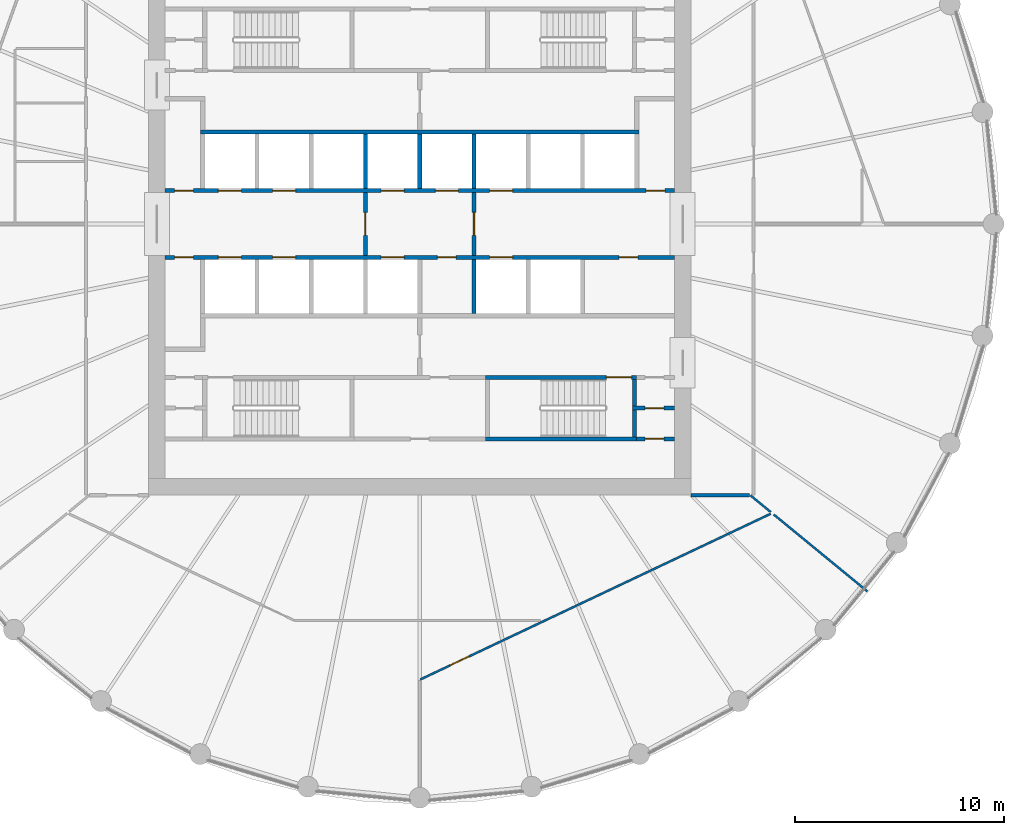
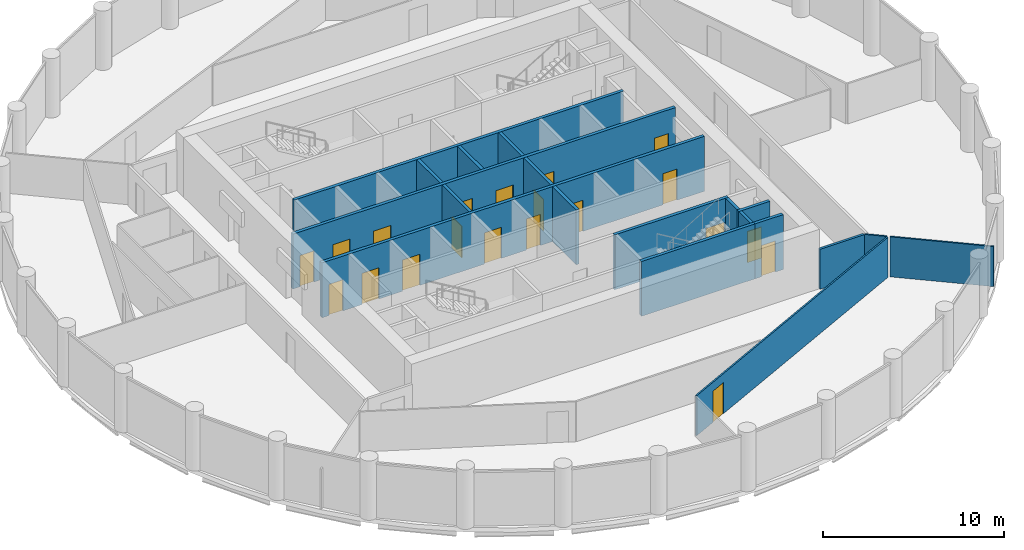
# One storey, part 5 of 8: 20 doors, 19 walls, 20 openings.
"""IFC4 building model written with IfcOpenShell, lengths in metres."""

from ifc_helpers import new_model, si_unit, direction, frame, frame_2d, origin, place, context, subcontext, project, spatial, polyline, rectangle, outline, extrude, material, layer, layer_set, type_object, element, fill, save


model = new_model("IFC4")

# Units and contexts
model_context = context("Model", 3, precision=1e-05, world=origin(), true_north=direction((0.0, 1.0)))
body_context = subcontext(model_context, "Body", "Model", "MODEL_VIEW")
ifc_project = project(units=[si_unit("LENGTHUNIT", "METRE"), si_unit("AREAUNIT", "SQUARE_METRE"), si_unit("VOLUMEUNIT", "CUBIC_METRE"), si_unit("PLANEANGLEUNIT", "RADIAN"), si_unit("MASSUNIT", "GRAM", prefix="KILO")], contexts=[model_context])

# Site, building, storey
site_placement = place(None, origin())
site = spatial("IfcSite", under=ifc_project, at=site_placement, CompositionType="ELEMENT")
building_placement = place(site_placement, origin())
building = spatial("IfcBuilding", under=site, at=building_placement, Name="Corvane Civic Tower", CompositionType="ELEMENT")
storey_placement = place(building_placement, frame((0.0, 0.0, 241.5)))
storey = spatial("IfcBuildingStorey", under=building, at=storey_placement, Name="L57", CompositionType="ELEMENT", Elevation=241.5)

# Wall, opening, door
ifc_material_1 = material(Name="Concrete C30/37", Category="concrete")
ifc_layer_1 = layer(ifc_material_1, 0.199951171875)
ifc_layer_set_1 = layer_set([ifc_layer_1], Name="Concrete C30/37")
wall_type_1 = type_object("IfcWallType", Name="CR-WALL-200", PredefinedType="PARTITIONING", material=ifc_layer_set_1)
wall_1_placement = place(storey_placement, frame((10.39990234375, -10.300048828125, 0.0), z_axis=(0.0, 0.0, 1.0), x_axis=(1.0, 0.0, 0.0)))
wall_1 = element("IfcWall", 1, at=wall_1_placement, inside=storey, type_object=wall_type_1, Name="L57 partition wall", PredefinedType="PARTITIONING", context=body_context, shape_type="SweptSolid", body=[
    extrude(rectangle(XDim=1.800048828125, YDim=0.199951171875, at=frame_2d((0.89990234375, 0.0))), origin(), (0.0, 0.0, 1.0), 3.699951171875),
])
opening_1_placement = place(wall_1_placement, frame((0.39990234375, 0.0, 0.0)))
opening_1 = element("IfcOpeningElement", 2, at=opening_1_placement, cuts=wall_1, Name="Opening L57.C19", PredefinedType="OPENING", context=body_context, shape_type="SweptSolid", body=[
    extrude(rectangle(XDim=0.89990234375, YDim=2.10009765625, at=frame_2d((0.449951171875, 1.050048828125))), frame((0.0, 0.10986328125, 0.0), z_axis=(0.0, -1.0, 0.0), x_axis=(1.0, 0.0, 0.0)), (0.0, 0.0, 1.0), 0.219970703125),
])
ifc_material_2 = material(Name="Steel fire door leaf", Category="steel")
door_type_1 = type_object("IfcDoorType", Name="CR-DOOR-900", OperationType="SINGLE_SWING_LEFT", PredefinedType="DOOR", material=ifc_material_2)
door_1_placement = place(opening_1_placement, origin())
door_1 = element("IfcDoor", 3, at=door_1_placement, inside=storey, type_object=door_type_1, Name="L57 door", OperationType="SINGLE_SWING_LEFT", OverallHeight=2.10009765625, OverallWidth=0.89990234375, PredefinedType="DOOR", context=body_context, shape_type="SweptSolid", body=[
    extrude(rectangle(XDim=0.89990234375, YDim=2.10009765625, at=frame_2d((0.449951171875, 1.050048828125))), frame((0.0, 0.02490234375, 0.0), z_axis=(0.0, -1.0, 0.0), x_axis=(1.0, 0.0, 0.0)), (0.0, 0.0, 1.0), 0.050048828125),
])
fill(opening_1, door_1)

wall_2_placement = place(storey_placement, frame((10.199951171875, -8.824951171875, 0.0), z_axis=(0.0, 0.0, 1.0), x_axis=(1.0, 0.0, 0.0)))
wall_2 = element("IfcWall", 4, at=wall_2_placement, inside=storey, type_object=wall_type_1, Name="L57 partition wall", PredefinedType="PARTITIONING", context=body_context, shape_type="SweptSolid", body=[
    extrude(rectangle(XDim=2.0, YDim=0.199951171875, at=frame_2d((1.0, 0.0))), origin(), (0.0, 0.0, 1.0), 3.699951171875),
])
opening_2_placement = place(wall_2_placement, frame((0.60009765625, 0.0, 0.0)))
opening_2 = element("IfcOpeningElement", 5, at=opening_2_placement, cuts=wall_2, Name="Opening L57.C18", PredefinedType="OPENING", context=body_context, shape_type="SweptSolid", body=[
    extrude(rectangle(XDim=0.89990234375, YDim=2.10009765625, at=frame_2d((0.449951171875, 1.050048828125))), frame((0.0, 0.10986328125, 0.0), z_axis=(0.0, -1.0, 0.0), x_axis=(1.0, 0.0, 0.0)), (0.0, 0.0, 1.0), 0.219970703125),
])
door_2_placement = place(opening_2_placement, origin())
door_2 = element("IfcDoor", 6, at=door_2_placement, inside=storey, type_object=door_type_1, Name="L57 door", OperationType="SINGLE_SWING_LEFT", OverallHeight=2.10009765625, OverallWidth=0.89990234375, PredefinedType="DOOR", context=body_context, shape_type="SweptSolid", body=[
    extrude(rectangle(XDim=0.89990234375, YDim=2.10009765625, at=frame_2d((0.449951171875, 1.050048828125))), frame((0.0, 0.02490234375, 0.0), z_axis=(0.0, -1.0, 0.0), x_axis=(1.0, 0.0, 0.0)), (0.0, 0.0, 1.0), 0.050048828125),
])
fill(opening_2, door_2)

# Wall, openings, doors
wall_3_placement = place(storey_placement, frame((-12.199951171875, -1.60009765625, 0.0), z_axis=(0.0, 0.0, 1.0), x_axis=(1.0, 0.0, 0.0)))
wall_3 = element("IfcWall", 7, at=wall_3_placement, inside=storey, type_object=wall_type_1, Name="L57 lift shaft wall", PredefinedType="PARTITIONING", context=body_context, shape_type="SweptSolid", body=[
    extrude(rectangle(XDim=24.39990234375, YDim=0.199951171875, at=frame_2d((12.199951171875, 0.0))), origin(), (0.0, 0.0, 1.0), 3.699951171875),
])
opening_3_placement = place(wall_3_placement, frame((2.550048828125, 0.0, 0.0)))
opening_3 = element("IfcOpeningElement", 8, at=opening_3_placement, cuts=wall_3, Name="Opening LD", PredefinedType="OPENING", context=body_context, shape_type="SweptSolid", body=[
    extrude(rectangle(XDim=1.10009765625, YDim=2.10009765625, at=frame_2d((0.550048828125, 1.050048828125))), frame((0.0, 0.10986328125, 0.0), z_axis=(0.0, -1.0, 0.0), x_axis=(1.0, 0.0, 0.0)), (0.0, 0.0, 1.0), 0.219970703125),
])
opening_4_placement = place(wall_3_placement, frame((5.14990234375, 0.0, 0.0)))
opening_4 = element("IfcOpeningElement", 9, at=opening_4_placement, cuts=wall_3, Name="Opening LD", PredefinedType="OPENING", context=body_context, shape_type="SweptSolid", body=[
    extrude(rectangle(XDim=1.10009765625, YDim=2.10009765625, at=frame_2d((0.550048828125, 1.050048828125))), frame((0.0, 0.10986328125, 0.0), z_axis=(0.0, -1.0, 0.0), x_axis=(1.0, 0.0, 0.0)), (0.0, 0.0, 1.0), 0.219970703125),
])
opening_5_placement = place(wall_3_placement, frame((10.35009765625, 0.0, 0.0)))
opening_5 = element("IfcOpeningElement", 10, at=opening_5_placement, cuts=wall_3, Name="Opening LD", PredefinedType="OPENING", context=body_context, shape_type="SweptSolid", body=[
    extrude(rectangle(XDim=1.10009765625, YDim=2.10009765625, at=frame_2d((0.550048828125, 1.050048828125))), frame((0.0, 0.10986328125, 0.0), z_axis=(0.0, -1.0, 0.0), x_axis=(1.0, 0.0, 0.0)), (0.0, 0.0, 1.0), 0.219970703125),
])
opening_6_placement = place(wall_3_placement, frame((13.050048828125, 0.0, 0.0)))
opening_6 = element("IfcOpeningElement", 11, at=opening_6_placement, cuts=wall_3, Name="Opening L57.C03", PredefinedType="OPENING", context=body_context, shape_type="SweptSolid", body=[
    extrude(rectangle(XDim=0.89990234375, YDim=2.10009765625, at=frame_2d((0.449951171875, 1.050048828125))), frame((0.0, 0.10986328125, 0.0), z_axis=(0.0, -1.0, 0.0), x_axis=(1.0, 0.0, 0.0)), (0.0, 0.0, 1.0), 0.219970703125),
])
opening_7_placement = place(wall_3_placement, frame((15.550048828125, 0.0, 0.0)))
opening_7 = element("IfcOpeningElement", 12, at=opening_7_placement, cuts=wall_3, Name="Opening LD", PredefinedType="OPENING", context=body_context, shape_type="SweptSolid", body=[
    extrude(rectangle(XDim=1.10009765625, YDim=2.10009765625, at=frame_2d((0.550048828125, 1.050048828125))), frame((0.0, 0.10986328125, 0.0), z_axis=(0.0, -1.0, 0.0), x_axis=(1.0, 0.0, 0.0)), (0.0, 0.0, 1.0), 0.219970703125),
])
opening_8_placement = place(wall_3_placement, frame((0.449951171875, 0.0, 0.0)))
opening_8 = element("IfcOpeningElement", 13, at=opening_8_placement, cuts=wall_3, Name="Opening L57.C04", PredefinedType="OPENING", context=body_context, shape_type="SweptSolid", body=[
    extrude(rectangle(XDim=0.89990234375, YDim=2.10009765625, at=frame_2d((0.449951171875, 1.050048828125))), frame((0.0, 0.10986328125, 0.0), z_axis=(0.0, -1.0, 0.0), x_axis=(1.0, 0.0, 0.0)), (0.0, 0.0, 1.0), 0.219970703125),
])
opening_9_placement = place(wall_3_placement, frame((21.75, 0.0, 0.0)))
opening_9 = element("IfcOpeningElement", 14, at=opening_9_placement, cuts=wall_3, Name="Opening L57.C05", PredefinedType="OPENING", context=body_context, shape_type="SweptSolid", body=[
    extrude(rectangle(XDim=0.89990234375, YDim=2.10009765625, at=frame_2d((0.449951171875, 1.050048828125))), frame((0.0, 0.10986328125, 0.0), z_axis=(0.0, -1.0, 0.0), x_axis=(1.0, 0.0, 0.0)), (0.0, 0.0, 1.0), 0.219970703125),
])
door_3_placement = place(opening_6_placement, origin())
door_3 = element("IfcDoor", 15, at=door_3_placement, inside=storey, type_object=door_type_1, Name="L57 door", OperationType="SINGLE_SWING_LEFT", OverallHeight=2.10009765625, OverallWidth=0.89990234375, PredefinedType="DOOR", context=body_context, shape_type="SweptSolid", body=[
    extrude(rectangle(XDim=0.89990234375, YDim=2.10009765625, at=frame_2d((0.449951171875, 1.050048828125))), frame((0.0, 0.02490234375, 0.0), z_axis=(0.0, -1.0, 0.0), x_axis=(1.0, 0.0, 0.0)), (0.0, 0.0, 1.0), 0.050048828125),
])
fill(opening_6, door_3)
door_4_placement = place(opening_8_placement, origin())
door_4 = element("IfcDoor", 16, at=door_4_placement, inside=storey, type_object=door_type_1, Name="L57 door", OperationType="SINGLE_SWING_LEFT", OverallHeight=2.10009765625, OverallWidth=0.89990234375, PredefinedType="DOOR", context=body_context, shape_type="SweptSolid", body=[
    extrude(rectangle(XDim=0.89990234375, YDim=2.10009765625, at=frame_2d((0.449951171875, 1.050048828125))), frame((0.0, 0.02490234375, 0.0), z_axis=(0.0, -1.0, 0.0), x_axis=(1.0, 0.0, 0.0)), (0.0, 0.0, 1.0), 0.050048828125),
])
fill(opening_8, door_4)
door_5_placement = place(opening_9_placement, origin())
door_5 = element("IfcDoor", 17, at=door_5_placement, inside=storey, type_object=door_type_1, Name="L57 door", OperationType="SINGLE_SWING_LEFT", OverallHeight=2.10009765625, OverallWidth=0.89990234375, PredefinedType="DOOR", context=body_context, shape_type="SweptSolid", body=[
    extrude(rectangle(XDim=0.89990234375, YDim=2.10009765625, at=frame_2d((0.449951171875, 1.050048828125))), frame((0.0, 0.02490234375, 0.0), z_axis=(0.0, -1.0, 0.0), x_axis=(1.0, 0.0, 0.0)), (0.0, 0.0, 1.0), 0.050048828125),
])
fill(opening_9, door_5)
ifc_material_3 = material(Name="Stainless steel 316 door leaves", Category="steel")
door_type_2 = type_object("IfcDoorType", Name="LD", OperationType="DOUBLE_DOOR_SLIDING", PredefinedType="DOOR", material=ifc_material_3)
door_6_placement = place(opening_3_placement, origin())
door_6 = element("IfcDoor", 18, at=door_6_placement, inside=storey, type_object=door_type_2, Name="L57 landing door", OperationType="DOUBLE_DOOR_SLIDING", OverallHeight=2.10009765625, OverallWidth=1.10009765625, PredefinedType="DOOR", context=body_context, shape_type="SweptSolid", body=[
    extrude(rectangle(XDim=1.10009765625, YDim=2.10009765625, at=frame_2d((0.550048828125, 1.050048828125))), frame((0.0, 0.02490234375, 0.0), z_axis=(0.0, -1.0, 0.0), x_axis=(1.0, 0.0, 0.0)), (0.0, 0.0, 1.0), 0.050048828125),
])
fill(opening_3, door_6)
door_7_placement = place(opening_4_placement, origin())
door_7 = element("IfcDoor", 19, at=door_7_placement, inside=storey, type_object=door_type_2, Name="L57 landing door", OperationType="DOUBLE_DOOR_SLIDING", OverallHeight=2.10009765625, OverallWidth=1.10009765625, PredefinedType="DOOR", context=body_context, shape_type="SweptSolid", body=[
    extrude(rectangle(XDim=1.10009765625, YDim=2.10009765625, at=frame_2d((0.550048828125, 1.050048828125))), frame((0.0, 0.02490234375, 0.0), z_axis=(0.0, -1.0, 0.0), x_axis=(1.0, 0.0, 0.0)), (0.0, 0.0, 1.0), 0.050048828125),
])
fill(opening_4, door_7)
door_8_placement = place(opening_5_placement, origin())
door_8 = element("IfcDoor", 20, at=door_8_placement, inside=storey, type_object=door_type_2, Name="L57 landing door", OperationType="DOUBLE_DOOR_SLIDING", OverallHeight=2.10009765625, OverallWidth=1.10009765625, PredefinedType="DOOR", context=body_context, shape_type="SweptSolid", body=[
    extrude(rectangle(XDim=1.10009765625, YDim=2.10009765625, at=frame_2d((0.550048828125, 1.050048828125))), frame((0.0, 0.02490234375, 0.0), z_axis=(0.0, -1.0, 0.0), x_axis=(1.0, 0.0, 0.0)), (0.0, 0.0, 1.0), 0.050048828125),
])
fill(opening_5, door_8)
door_9_placement = place(opening_7_placement, origin())
door_9 = element("IfcDoor", 21, at=door_9_placement, inside=storey, type_object=door_type_2, Name="L57 landing door", OperationType="DOUBLE_DOOR_SLIDING", OverallHeight=2.10009765625, OverallWidth=1.10009765625, PredefinedType="DOOR", context=body_context, shape_type="SweptSolid", body=[
    extrude(rectangle(XDim=1.10009765625, YDim=2.10009765625, at=frame_2d((0.550048828125, 1.050048828125))), frame((0.0, 0.02490234375, 0.0), z_axis=(0.0, -1.0, 0.0), x_axis=(1.0, 0.0, 0.0)), (0.0, 0.0, 1.0), 0.050048828125),
])
fill(opening_7, door_9)

wall_4_placement = place(storey_placement, frame((-12.199951171875, 1.60009765625, 0.0), z_axis=(0.0, 0.0, 1.0), x_axis=(1.0, 0.0, 0.0)))
wall_4 = element("IfcWall", 22, at=wall_4_placement, inside=storey, type_object=wall_type_1, Name="L57 lift shaft wall", PredefinedType="PARTITIONING", context=body_context, shape_type="SweptSolid", body=[
    extrude(rectangle(XDim=24.39990234375, YDim=0.199951171875, at=frame_2d((12.199951171875, 0.0))), origin(), (0.0, 0.0, 1.0), 3.699951171875),
])
opening_10_placement = place(wall_4_placement, frame((2.550048828125, 0.0, 0.0)))
opening_10 = element("IfcOpeningElement", 23, at=opening_10_placement, cuts=wall_4, Name="Opening LD", PredefinedType="OPENING", context=body_context, shape_type="SweptSolid", body=[
    extrude(rectangle(XDim=1.10009765625, YDim=2.10009765625, at=frame_2d((0.550048828125, 1.050048828125))), frame((0.0, 0.10986328125, 0.0), z_axis=(0.0, -1.0, 0.0), x_axis=(1.0, 0.0, 0.0)), (0.0, 0.0, 1.0), 0.219970703125),
])
opening_11_placement = place(wall_4_placement, frame((5.14990234375, 0.0, 0.0)))
opening_11 = element("IfcOpeningElement", 24, at=opening_11_placement, cuts=wall_4, Name="Opening LD", PredefinedType="OPENING", context=body_context, shape_type="SweptSolid", body=[
    extrude(rectangle(XDim=1.10009765625, YDim=2.10009765625, at=frame_2d((0.550048828125, 1.050048828125))), frame((0.0, 0.10986328125, 0.0), z_axis=(0.0, -1.0, 0.0), x_axis=(1.0, 0.0, 0.0)), (0.0, 0.0, 1.0), 0.219970703125),
])
opening_12_placement = place(wall_4_placement, frame((10.35009765625, 0.0, 0.0)))
opening_12 = element("IfcOpeningElement", 25, at=opening_12_placement, cuts=wall_4, Name="Opening LD", PredefinedType="OPENING", context=body_context, shape_type="SweptSolid", body=[
    extrude(rectangle(XDim=1.10009765625, YDim=2.10009765625, at=frame_2d((0.550048828125, 1.050048828125))), frame((0.0, 0.10986328125, 0.0), z_axis=(0.0, -1.0, 0.0), x_axis=(1.0, 0.0, 0.0)), (0.0, 0.0, 1.0), 0.219970703125),
])
opening_13_placement = place(wall_4_placement, frame((12.949951171875, 0.0, 0.0)))
opening_13 = element("IfcOpeningElement", 26, at=opening_13_placement, cuts=wall_4, Name="Opening LD", PredefinedType="OPENING", context=body_context, shape_type="SweptSolid", body=[
    extrude(rectangle(XDim=1.10009765625, YDim=2.10009765625, at=frame_2d((0.550048828125, 1.050048828125))), frame((0.0, 0.10986328125, 0.0), z_axis=(0.0, -1.0, 0.0), x_axis=(1.0, 0.0, 0.0)), (0.0, 0.0, 1.0), 0.219970703125),
])
opening_14_placement = place(wall_4_placement, frame((15.550048828125, 0.0, 0.0)))
opening_14 = element("IfcOpeningElement", 27, at=opening_14_placement, cuts=wall_4, Name="Opening LD", PredefinedType="OPENING", context=body_context, shape_type="SweptSolid", body=[
    extrude(rectangle(XDim=1.10009765625, YDim=2.10009765625, at=frame_2d((0.550048828125, 1.050048828125))), frame((0.0, 0.10986328125, 0.0), z_axis=(0.0, -1.0, 0.0), x_axis=(1.0, 0.0, 0.0)), (0.0, 0.0, 1.0), 0.219970703125),
])
opening_15_placement = place(wall_4_placement, frame((0.449951171875, 0.0, 0.0)))
opening_15 = element("IfcOpeningElement", 28, at=opening_15_placement, cuts=wall_4, Name="Opening L57.C01", PredefinedType="OPENING", context=body_context, shape_type="SweptSolid", body=[
    extrude(rectangle(XDim=0.89990234375, YDim=2.10009765625, at=frame_2d((0.449951171875, 1.050048828125))), frame((0.0, 0.10986328125, 0.0), z_axis=(0.0, -1.0, 0.0), x_axis=(1.0, 0.0, 0.0)), (0.0, 0.0, 1.0), 0.219970703125),
])
opening_16_placement = place(wall_4_placement, frame((23.050048828125, 0.0, 0.0)))
opening_16 = element("IfcOpeningElement", 29, at=opening_16_placement, cuts=wall_4, Name="Opening L57.C02", PredefinedType="OPENING", context=body_context, shape_type="SweptSolid", body=[
    extrude(rectangle(XDim=0.89990234375, YDim=2.10009765625, at=frame_2d((0.449951171875, 1.050048828125))), frame((0.0, 0.10986328125, 0.0), z_axis=(0.0, -1.0, 0.0), x_axis=(1.0, 0.0, 0.0)), (0.0, 0.0, 1.0), 0.219970703125),
])
door_10_placement = place(opening_15_placement, origin())
door_10 = element("IfcDoor", 30, at=door_10_placement, inside=storey, type_object=door_type_1, Name="L57 door", OperationType="SINGLE_SWING_LEFT", OverallHeight=2.10009765625, OverallWidth=0.89990234375, PredefinedType="DOOR", context=body_context, shape_type="SweptSolid", body=[
    extrude(rectangle(XDim=0.89990234375, YDim=2.10009765625, at=frame_2d((0.449951171875, 1.050048828125))), frame((0.0, 0.02490234375, 0.0), z_axis=(0.0, -1.0, 0.0), x_axis=(1.0, 0.0, 0.0)), (0.0, 0.0, 1.0), 0.050048828125),
])
fill(opening_15, door_10)
door_11_placement = place(opening_16_placement, origin())
door_11 = element("IfcDoor", 31, at=door_11_placement, inside=storey, type_object=door_type_1, Name="L57 door", OperationType="SINGLE_SWING_LEFT", OverallHeight=2.10009765625, OverallWidth=0.89990234375, PredefinedType="DOOR", context=body_context, shape_type="SweptSolid", body=[
    extrude(rectangle(XDim=0.89990234375, YDim=2.10009765625, at=frame_2d((0.449951171875, 1.050048828125))), frame((0.0, 0.02490234375, 0.0), z_axis=(0.0, -1.0, 0.0), x_axis=(1.0, 0.0, 0.0)), (0.0, 0.0, 1.0), 0.050048828125),
])
fill(opening_16, door_11)
door_12_placement = place(opening_10_placement, origin())
door_12 = element("IfcDoor", 32, at=door_12_placement, inside=storey, type_object=door_type_2, Name="L57 landing door", OperationType="DOUBLE_DOOR_SLIDING", OverallHeight=2.10009765625, OverallWidth=1.10009765625, PredefinedType="DOOR", context=body_context, shape_type="SweptSolid", body=[
    extrude(rectangle(XDim=1.10009765625, YDim=2.10009765625, at=frame_2d((0.550048828125, 1.050048828125))), frame((0.0, 0.02490234375, 0.0), z_axis=(0.0, -1.0, 0.0), x_axis=(1.0, 0.0, 0.0)), (0.0, 0.0, 1.0), 0.050048828125),
])
fill(opening_10, door_12)
door_13_placement = place(opening_11_placement, origin())
door_13 = element("IfcDoor", 33, at=door_13_placement, inside=storey, type_object=door_type_2, Name="L57 landing door", OperationType="DOUBLE_DOOR_SLIDING", OverallHeight=2.10009765625, OverallWidth=1.10009765625, PredefinedType="DOOR", context=body_context, shape_type="SweptSolid", body=[
    extrude(rectangle(XDim=1.10009765625, YDim=2.10009765625, at=frame_2d((0.550048828125, 1.050048828125))), frame((0.0, 0.02490234375, 0.0), z_axis=(0.0, -1.0, 0.0), x_axis=(1.0, 0.0, 0.0)), (0.0, 0.0, 1.0), 0.050048828125),
])
fill(opening_11, door_13)
door_14_placement = place(opening_12_placement, origin())
door_14 = element("IfcDoor", 34, at=door_14_placement, inside=storey, type_object=door_type_2, Name="L57 landing door", OperationType="DOUBLE_DOOR_SLIDING", OverallHeight=2.10009765625, OverallWidth=1.10009765625, PredefinedType="DOOR", context=body_context, shape_type="SweptSolid", body=[
    extrude(rectangle(XDim=1.10009765625, YDim=2.10009765625, at=frame_2d((0.550048828125, 1.050048828125))), frame((0.0, 0.02490234375, 0.0), z_axis=(0.0, -1.0, 0.0), x_axis=(1.0, 0.0, 0.0)), (0.0, 0.0, 1.0), 0.050048828125),
])
fill(opening_12, door_14)
door_15_placement = place(opening_13_placement, origin())
door_15 = element("IfcDoor", 35, at=door_15_placement, inside=storey, type_object=door_type_2, Name="L57 landing door", OperationType="DOUBLE_DOOR_SLIDING", OverallHeight=2.10009765625, OverallWidth=1.10009765625, PredefinedType="DOOR", context=body_context, shape_type="SweptSolid", body=[
    extrude(rectangle(XDim=1.10009765625, YDim=2.10009765625, at=frame_2d((0.550048828125, 1.050048828125))), frame((0.0, 0.02490234375, 0.0), z_axis=(0.0, -1.0, 0.0), x_axis=(1.0, 0.0, 0.0)), (0.0, 0.0, 1.0), 0.050048828125),
])
fill(opening_13, door_15)
door_16_placement = place(opening_14_placement, origin())
door_16 = element("IfcDoor", 36, at=door_16_placement, inside=storey, type_object=door_type_2, Name="L57 landing door", OperationType="DOUBLE_DOOR_SLIDING", OverallHeight=2.10009765625, OverallWidth=1.10009765625, PredefinedType="DOOR", context=body_context, shape_type="SweptSolid", body=[
    extrude(rectangle(XDim=1.10009765625, YDim=2.10009765625, at=frame_2d((0.550048828125, 1.050048828125))), frame((0.0, 0.02490234375, 0.0), z_axis=(0.0, -1.0, 0.0), x_axis=(1.0, 0.0, 0.0)), (0.0, 0.0, 1.0), 0.050048828125),
])
fill(opening_14, door_16)

# Wall, opening, door
wall_5_placement = place(storey_placement, frame((-2.60009765625, -1.5, 0.0), z_axis=(0.0, 0.0, 1.0), x_axis=(0.0, 1.0, 0.0)))
wall_5 = element("IfcWall", 37, at=wall_5_placement, inside=storey, type_object=wall_type_1, Name="L57 firefighting lobby wall", PredefinedType="PARTITIONING", context=body_context, shape_type="SweptSolid", body=[
    extrude(rectangle(XDim=3.0, YDim=0.199951171875, at=frame_2d((1.5, 0.0))), origin(), (0.0, 0.0, 1.0), 3.699951171875),
])
opening_17_placement = place(wall_5_placement, frame((0.949951171875, 0.0, 0.0)))
opening_17 = element("IfcOpeningElement", 38, at=opening_17_placement, cuts=wall_5, Name="Opening L57.C24", PredefinedType="OPENING", context=body_context, shape_type="SweptSolid", body=[
    extrude(rectangle(XDim=1.10009765625, YDim=2.10009765625, at=frame_2d((0.550048828125, 1.050048828125))), frame((0.0, 0.10986328125, 0.0), z_axis=(0.0, -1.0, 0.0), x_axis=(1.0, 0.0, 0.0)), (0.0, 0.0, 1.0), 0.219970703125),
])
ifc_material_4 = material(Name="Steel fire door leaf", Category="steel")
door_type_3 = type_object("IfcDoorType", Name="CR-DOOR-FFL-1100", OperationType="SINGLE_SWING_LEFT", PredefinedType="DOOR", material=ifc_material_4)
door_17_placement = place(opening_17_placement, origin())
door_17 = element("IfcDoor", 39, at=door_17_placement, inside=storey, type_object=door_type_3, Name="L57 lobby door", OperationType="SINGLE_SWING_LEFT", OverallHeight=2.10009765625, OverallWidth=1.10009765625, PredefinedType="DOOR", context=body_context, shape_type="SweptSolid", body=[
    extrude(rectangle(XDim=1.10009765625, YDim=2.10009765625, at=frame_2d((0.550048828125, 1.050048828125))), frame((0.0, 0.02490234375, 0.0), z_axis=(0.0, -1.0, 0.0), x_axis=(1.0, 0.0, 0.0)), (0.0, 0.0, 1.0), 0.050048828125),
])
fill(opening_17, door_17)

wall_6_placement = place(storey_placement, frame((2.60009765625, -1.5, 0.0), z_axis=(0.0, 0.0, 1.0), x_axis=(0.0, 1.0, 0.0)))
wall_6 = element("IfcWall", 40, at=wall_6_placement, inside=storey, type_object=wall_type_1, Name="L57 firefighting lobby wall", PredefinedType="PARTITIONING", context=body_context, shape_type="SweptSolid", body=[
    extrude(rectangle(XDim=3.0, YDim=0.199951171875, at=frame_2d((1.5, 0.0))), origin(), (0.0, 0.0, 1.0), 3.699951171875),
])
opening_18_placement = place(wall_6_placement, frame((0.949951171875, 0.0, 0.0)))
opening_18 = element("IfcOpeningElement", 41, at=opening_18_placement, cuts=wall_6, Name="Opening L57.C25", PredefinedType="OPENING", context=body_context, shape_type="SweptSolid", body=[
    extrude(rectangle(XDim=1.10009765625, YDim=2.10009765625, at=frame_2d((0.550048828125, 1.050048828125))), frame((0.0, 0.10986328125, 0.0), z_axis=(0.0, -1.0, 0.0), x_axis=(1.0, 0.0, 0.0)), (0.0, 0.0, 1.0), 0.219970703125),
])
door_18_placement = place(opening_18_placement, origin())
door_18 = element("IfcDoor", 42, at=door_18_placement, inside=storey, type_object=door_type_3, Name="L57 lobby door", OperationType="SINGLE_SWING_LEFT", OverallHeight=2.10009765625, OverallWidth=1.10009765625, PredefinedType="DOOR", context=body_context, shape_type="SweptSolid", body=[
    extrude(rectangle(XDim=1.10009765625, YDim=2.10009765625, at=frame_2d((0.550048828125, 1.050048828125))), frame((0.0, 0.02490234375, 0.0), z_axis=(0.0, -1.0, 0.0), x_axis=(1.0, 0.0, 0.0)), (0.0, 0.0, 1.0), 0.050048828125),
])
fill(opening_18, door_18)

# Walls
wall_7_placement = place(storey_placement, origin())
element("IfcWall", 43, at=wall_7_placement, inside=storey, type_object=wall_type_1, Name="L57 core partition wall", PredefinedType="PARTITIONING", context=body_context, shape_type="SweptSolid", body=[
    extrude(outline(polyline([(2.699951171875, -1.699951171875), (2.699951171875, -4.2998046875), (2.5, -4.2998046875), (2.5, -1.699951171875), (2.699951171875, -1.699951171875)])), origin(), (0.0, 0.0, 1.0), 3.699951171875),
])
wall_8_placement = place(storey_placement, origin())
element("IfcWall", 44, at=wall_8_placement, inside=storey, type_object=wall_type_1, Name="L57 core partition wall", PredefinedType="PARTITIONING", context=body_context, shape_type="SweptSolid", body=[
    extrude(outline(polyline([(10.5, 4.5), (10.5, 4.300048828125), (-10.5, 4.300048828125), (-10.5, 4.5), (10.5, 4.5)])), origin(), (0.0, 0.0, 1.0), 3.699951171875),
])
wall_9_placement = place(storey_placement, origin())
element("IfcWall", 45, at=wall_9_placement, inside=storey, type_object=wall_type_1, Name="L57 core partition wall", PredefinedType="PARTITIONING", context=body_context, shape_type="SweptSolid", body=[
    extrude(outline(polyline([(-2.5, 1.699951171875), (-2.699951171875, 1.699951171875), (-2.699951171875, 4.2998046875), (-2.5, 4.2998046875), (-2.5, 1.699951171875)])), origin(), (0.0, 0.0, 1.0), 3.699951171875),
])
wall_10_placement = place(storey_placement, origin())
element("IfcWall", 46, at=wall_10_placement, inside=storey, type_object=wall_type_1, Name="L57 core partition wall", PredefinedType="PARTITIONING", context=body_context, shape_type="SweptSolid", body=[
    extrude(outline(polyline([(2.699951171875, 1.699951171875), (2.5, 1.699951171875), (2.5, 4.2998046875), (2.699951171875, 4.2998046875), (2.699951171875, 1.699951171875)])), origin(), (0.0, 0.0, 1.0), 3.699951171875),
])
wall_11_placement = place(storey_placement, origin())
element("IfcWall", 47, at=wall_11_placement, inside=storey, type_object=wall_type_1, Name="L57 core partition wall", PredefinedType="PARTITIONING", context=body_context, shape_type="SweptSolid", body=[
    extrude(outline(polyline([(0.10009765625, 1.699951171875), (-0.10009765625, 1.699951171875), (-0.10009765625, 4.2998046875), (0.10009765625, 4.2998046875), (0.10009765625, 1.699951171875)])), origin(), (0.0, 0.0, 1.0), 3.699951171875),
])

# Wall, opening, door
ifc_material_5 = material(Name="Plasterboard")
ifc_layer_2 = layer(ifc_material_5, 0.10009765625)
ifc_layer_set_2 = layer_set([ifc_layer_2], Name="Plasterboard")
wall_type_2 = type_object("IfcWallType", Name="Partition 100 plasterboard on studs", PredefinedType="PARTITIONING", material=ifc_layer_set_2)
wall_12_placement = place(storey_placement, frame((0.028564453125, -21.82958984375, 0.0), z_axis=(0.0, 0.0, 1.0), x_axis=(0.903990686967, 0.427552146383, 0.0)))
wall_12 = element("IfcWall", 48, at=wall_12_placement, inside=storey, type_object=wall_type_2, Name="Partition L57.002", PredefinedType="PARTITIONING", context=body_context, shape_type="SweptSolid", body=[
    extrude(rectangle(XDim=18.56787109375, YDim=0.10009765625, at=frame_2d((9.283935546875, 0.0))), origin(), (0.0, 0.0, 1.0), 2.699951171875),
])
opening_19_placement = place(wall_12_placement, frame((1.586181640625, 0.0, 0.0)))
opening_19 = element("IfcOpeningElement", 49, at=opening_19_placement, cuts=wall_12, Name="Opening L57.005", PredefinedType="OPENING", context=body_context, shape_type="SweptSolid", body=[
    extrude(rectangle(XDim=1.0, YDim=2.10009765625, at=frame_2d((0.5, 1.050048828125))), frame((0.0, 0.06005859375, 0.0), z_axis=(0.0, -1.0, 0.0), x_axis=(1.0, 0.0, 0.0)), (0.0, 0.0, 1.0), 0.1201171875),
])
ifc_material_6 = material(Name="Timber", Category="wood")
door_type_4 = type_object("IfcDoorType", Name="Single door 1000", OperationType="NOTDEFINED", PredefinedType="DOOR", material=ifc_material_6)
door_19_placement = place(opening_19_placement, frame((1.0, 0.0, 0.0), z_axis=(0.0, 0.0, 1.0), x_axis=(-1.0, 0.0, 0.0)))
door_19 = element("IfcDoor", 50, at=door_19_placement, inside=storey, type_object=door_type_4, Name="Door L57.005", OperationType="SINGLE_SWING_LEFT", OverallHeight=2.10009765625, OverallWidth=1.0, PredefinedType="DOOR", context=body_context, shape_type="SweptSolid", body=[
    extrude(rectangle(XDim=1.0, YDim=2.10009765625, at=frame_2d((0.5, 1.050048828125))), frame((0.0, 0.02490234375, 0.0), z_axis=(0.0, -1.0, 0.0), x_axis=(1.0, 0.0, 0.0)), (0.0, 0.0, 1.0), 0.050048828125),
])
fill(opening_19, door_19)

# Walls
wall_13_placement = place(storey_placement, frame((16.96435546875, -13.922119140625, 0.0), z_axis=(0.0, 0.0, 1.0), x_axis=(0.77299879553, -0.634407489008, 0.0)))
element("IfcWall", 51, at=wall_13_placement, inside=storey, type_object=wall_type_2, Name="Partition L57.006", PredefinedType="PARTITIONING", context=body_context, shape_type="SweptSolid", body=[
    extrude(rectangle(XDim=5.804443359375, YDim=0.10009765625, at=frame_2d((2.90234375, 0.0))), origin(), (0.0, 0.0, 1.0), 2.699951171875),
])
wall_14_placement = place(storey_placement, frame((15.8544921875, -13.01123046875, 0.0), z_axis=(0.0, 0.0, 1.0), x_axis=(0.773002384802, -0.634403115606, 0.0)))
element("IfcWall", 52, at=wall_14_placement, inside=storey, type_object=wall_type_2, Name="Partition L57.007", PredefinedType="PARTITIONING", context=body_context, shape_type="SweptSolid", body=[
    extrude(rectangle(XDim=1.254150390625, YDim=0.10009765625, at=frame_2d((0.626953125, 0.0))), origin(), (0.0, 0.0, 1.0), 2.699951171875),
])

# Wall, opening, door
ifc_material_7 = material(Name="Concrete C50/60", Category="concrete")
ifc_layer_3 = layer(ifc_material_7, 0.199951171875)
ifc_layer_set_3 = layer_set([ifc_layer_3], Name="Concrete C50/60")
wall_type_3 = type_object("IfcWallType", Name="ST-WALL-200", PredefinedType="SHEAR", material=ifc_layer_set_3)
wall_15_placement = place(storey_placement, frame((3.14990234375, -7.35009765625, 0.0), z_axis=(0.0, 0.0, 1.0), x_axis=(1.0, 0.0, 0.0)))
wall_15 = element("IfcWall", 53, at=wall_15_placement, inside=storey, type_object=wall_type_3, Name="L57 stair enclosure wall", PredefinedType="SHEAR", context=body_context, shape_type="SweptSolid", body=[
    extrude(rectangle(XDim=7.25, YDim=0.199951171875, at=frame_2d((3.625, 0.0))), origin(), (0.0, 0.0, 1.0), 3.699951171875),
])
opening_20_placement = place(wall_15_placement, frame((5.800048828125, 0.0, 0.0)))
opening_20 = element("IfcOpeningElement", 54, at=opening_20_placement, cuts=wall_15, Name="Opening L57.C22", PredefinedType="OPENING", context=body_context, shape_type="SweptSolid", body=[
    extrude(rectangle(XDim=1.199951171875, YDim=2.10009765625, at=frame_2d((0.60009765625, 1.050048828125))), frame((0.0, 0.10986328125, 0.0), z_axis=(0.0, -1.0, 0.0), x_axis=(1.0, 0.0, 0.0)), (0.0, 0.0, 1.0), 0.219970703125),
])
ifc_material_8 = material(Name="Steel fire door leaf", Category="steel")
door_type_5 = type_object("IfcDoorType", Name="ST-DOOR-1200", OperationType="SINGLE_SWING_RIGHT", PredefinedType="DOOR", material=ifc_material_8)
door_20_placement = place(opening_20_placement, origin())
door_20 = element("IfcDoor", 55, at=door_20_placement, inside=storey, type_object=door_type_5, Name="L57 stair door", OperationType="SINGLE_SWING_RIGHT", OverallHeight=2.10009765625, OverallWidth=1.199951171875, PredefinedType="DOOR", context=body_context, shape_type="SweptSolid", body=[
    extrude(rectangle(XDim=1.199951171875, YDim=2.10009765625, at=frame_2d((0.60009765625, 1.050048828125))), frame((0.0, 0.02490234375, 0.0), z_axis=(0.0, -1.0, 0.0), x_axis=(1.0, 0.0, 0.0)), (0.0, 0.0, 1.0), 0.050048828125),
])
fill(opening_20, door_20)

# Walls
wall_16_placement = place(storey_placement, origin())
element("IfcWall", 56, at=wall_16_placement, inside=storey, type_object=wall_type_3, Name="L57 stair enclosure wall", PredefinedType="SHEAR", context=body_context, shape_type="SweptSolid", body=[
    extrude(outline(polyline([(10.39990234375, -10.39990234375), (3.14990234375, -10.39990234375), (3.14990234375, -10.199951171875), (10.39990234375, -10.199951171875), (10.39990234375, -10.39990234375)])), origin(), (0.0, 0.0, 1.0), 3.699951171875),
])
wall_17_placement = place(storey_placement, origin())
element("IfcWall", 57, at=wall_17_placement, inside=storey, type_object=wall_type_3, Name="L57 stair enclosure wall", PredefinedType="SHEAR", context=body_context, shape_type="SweptSolid", body=[
    extrude(outline(polyline([(10.39990234375, -7.449951171875), (10.39990234375, -8.72509765625), (10.199951171875, -8.72509765625), (10.199951171875, -7.449951171875), (10.39990234375, -7.449951171875)])), origin(), (0.0, 0.0, 1.0), 3.699951171875),
])
wall_18_placement = place(storey_placement, origin())
element("IfcWall", 58, at=wall_18_placement, inside=storey, type_object=wall_type_3, Name="L57 stair enclosure wall", PredefinedType="SHEAR", context=body_context, shape_type="SweptSolid", body=[
    extrude(outline(polyline([(10.39990234375, -8.925048828125), (10.39990234375, -10.199951171875), (10.199951171875, -10.199951171875), (10.199951171875, -8.925048828125), (10.39990234375, -8.925048828125)])), origin(), (0.0, 0.0, 1.0), 3.699951171875),
])
ifc_material_9 = material(Name="Plasterboard")
ifc_layer_4 = layer(ifc_material_9, 0.14990234375)
ifc_layer_set_4 = layer_set([ifc_layer_4], Name="Plasterboard")
wall_type_4 = type_object("IfcWallType", Name="Tenancy wall 150 EI 60", PredefinedType="PARTITIONING", material=ifc_layer_set_4)
wall_19_placement = place(storey_placement, frame((12.989990234375, -13.0, 0.0), z_axis=(0.0, 0.0, 1.0), x_axis=(1.0, 0.0, 0.0)))
element("IfcWall", 59, at=wall_19_placement, inside=storey, type_object=wall_type_4, Name="Partition L57.011", PredefinedType="PARTITIONING", context=body_context, shape_type="SweptSolid", body=[
    extrude(rectangle(XDim=2.82373046875, YDim=0.14990234375, at=frame_2d((1.411865234375, 0.0))), origin(), (0.0, 0.0, 1.0), 2.699951171875),
])

save(model, "model.ifc")
